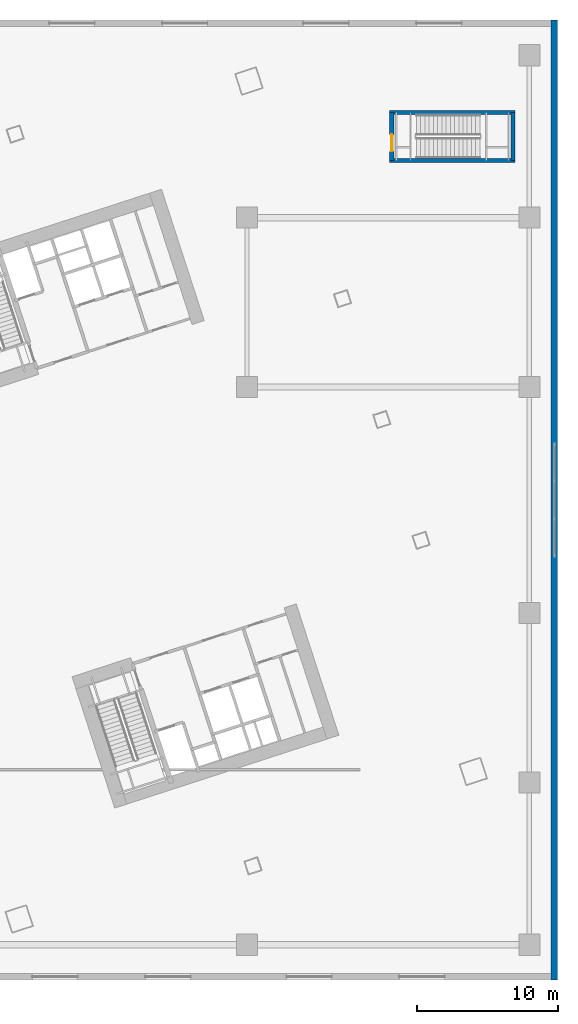
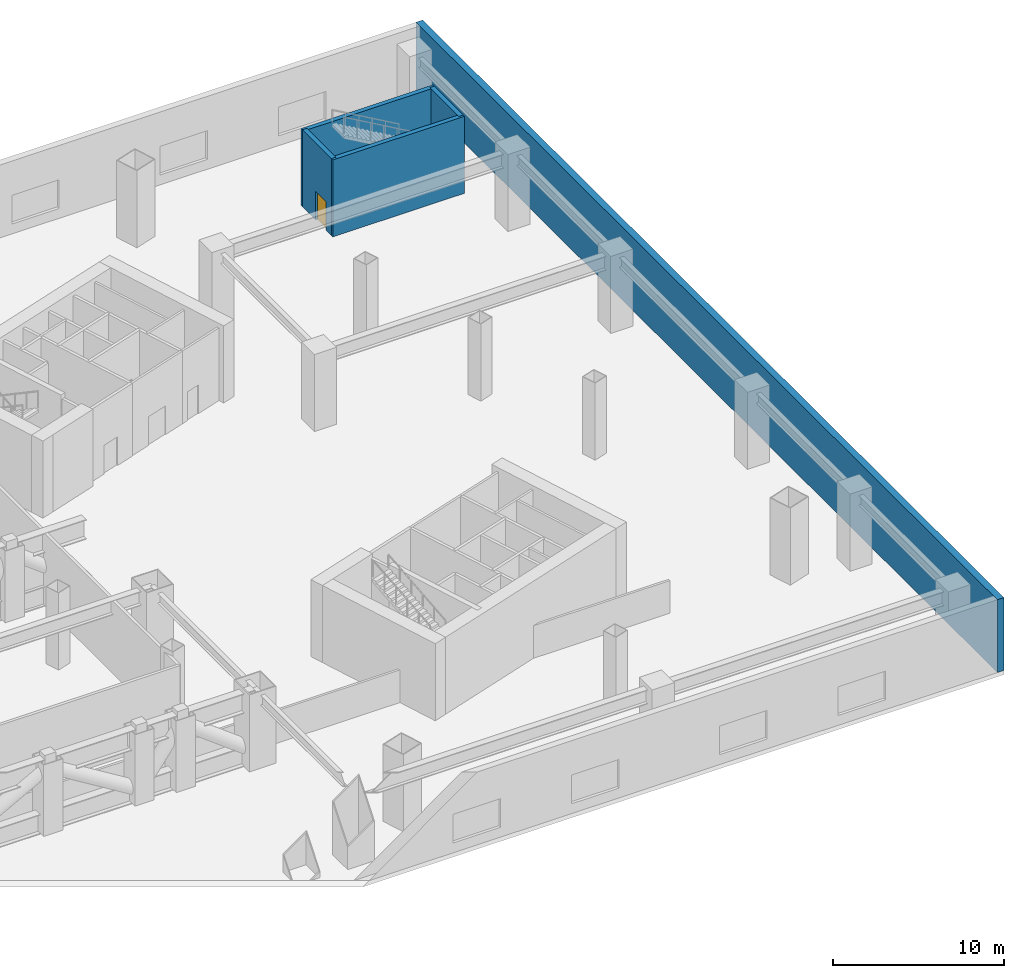
# One storey, part 29 of 34: 5 walls, 1 door, 1 opening.
"""IFC4 building model written with IfcOpenShell, lengths in metres."""

from ifc_helpers import new_model, si_unit, direction, frame, frame_2d, origin, place, context, subcontext, project, spatial, rectangle, extrude, material, layer, layer_set, type_object, element, fill, save


model = new_model("IFC4")

# Units and contexts
model_context = context("Model", 3, precision=1e-05, world=origin(), true_north=direction((0.0, 1.0)))
body_context = subcontext(model_context, "Body", "Model", "MODEL_VIEW")
ifc_project = project(units=[si_unit("LENGTHUNIT", "METRE"), si_unit("AREAUNIT", "SQUARE_METRE"), si_unit("VOLUMEUNIT", "CUBIC_METRE"), si_unit("PLANEANGLEUNIT", "RADIAN"), si_unit("MASSUNIT", "GRAM", prefix="KILO")], contexts=[model_context])

# Site, building, storey
site_placement = place(None, origin())
site = spatial("IfcSite", under=ifc_project, at=site_placement, CompositionType="ELEMENT")
building_placement = place(site_placement, origin())
building = spatial("IfcBuilding", under=site, at=building_placement, Name="Qiaolan Cultural Towers", CompositionType="ELEMENT")
storey_placement = place(building_placement, frame((0.0, 0.0, 16.5)))
storey = spatial("IfcBuildingStorey", under=building, at=storey_placement, Name="L03", CompositionType="ELEMENT", Elevation=16.5)

# Walls
ifc_material_1 = material(Name="Concrete C50", Category="concrete")
ifc_layer_1 = layer(ifc_material_1, 0.35009765625)
ifc_layer_set_1 = layer_set([ifc_layer_1], Name="Concrete C50")
wall_type_1 = type_object("IfcWallType", Name="WL-CORE-350", PredefinedType="SHEAR", material=ifc_layer_set_1)
for number, where, z_axis, x_axis, name in (
    (1, (108.10009765625, 58.050048828125, 0.0), (0.0, 0.0, 1.0), (1.0, 0.0, 0.0), "L03 STP2 Stair Shaft Wall S"),
    (2, (108.10009765625, 61.449951171875, 0.0), (0.0, 0.0, 1.0), (1.0, 0.0, 0.0), "L03 STP2 Stair Shaft Wall N"),
):
    element("IfcWall", number, at=place(storey_placement, frame(where, z_axis=z_axis, x_axis=x_axis)), inside=storey, type_object=wall_type_1, Name=name, PredefinedType="SHEAR", context=body_context, shape_type="SweptSolid", body=[
        extrude(rectangle(XDim=8.89990234375, YDim=0.300048828125, at=frame_2d((4.449951171875, 0.0))), origin(), (0.0, 0.0, 1.0), 5.5),
    ])
wall_1_placement = place(storey_placement, frame((116.85009765625, 58.050048828125, 0.0), z_axis=(0.0, 0.0, 1.0), x_axis=(0.0, 1.0, 0.0)))
element("IfcWall", 3, at=wall_1_placement, inside=storey, type_object=wall_type_1, Name="L03 STP2 Stair Shaft Wall E", PredefinedType="SHEAR", context=body_context, shape_type="SweptSolid", body=[
    extrude(rectangle(XDim=3.39990234375, YDim=0.300048828125, at=frame_2d((1.699951171875, 0.0))), origin(), (0.0, 0.0, 1.0), 5.5),
])

# Wall, opening, door
wall_2_placement = place(storey_placement, frame((108.25, 58.050048828125, 0.0), z_axis=(0.0, 0.0, 1.0), x_axis=(0.0, 1.0, 0.0)))
wall_2 = element("IfcWall", 4, at=wall_2_placement, inside=storey, type_object=wall_type_1, Name="L03 STP2 Stair Shaft Wall W", PredefinedType="SHEAR", context=body_context, shape_type="SweptSolid", body=[
    extrude(rectangle(XDim=3.39990234375, YDim=0.300048828125, at=frame_2d((1.699951171875, 0.0))), origin(), (0.0, 0.0, 1.0), 5.5),
])
opening_placement = place(wall_2_placement, frame((0.64990234375, 0.0, 0.0)))
opening = element("IfcOpeningElement", 5, at=opening_placement, cuts=wall_2, Name="Opening FD-03", PredefinedType="OPENING", context=body_context, shape_type="SweptSolid", body=[
    extrude(rectangle(XDim=1.199951171875, YDim=2.050048828125, at=frame_2d((0.60009765625, 1.02490234375))), frame((0.0, 0.159912109375, 0.0), z_axis=(0.0, -1.0, 0.0), x_axis=(1.0, 0.0, 0.0)), (0.0, 0.0, 1.0), 0.320068359375),
])
ifc_material_2 = material(Name="Galvanized Steel Smokeproof Lobby Fire Door", Category="steel")
door_type = type_object("IfcDoorType", Name="DR-FD90-1200", OperationType="NOTDEFINED", PredefinedType="DOOR", material=ifc_material_2)
door_placement = place(opening_placement, origin())
door = element("IfcDoor", 6, at=door_placement, inside=storey, type_object=door_type, Name="L03 Exit Stair ST-P2 Fire Door", OperationType="SINGLE_SWING_LEFT", OverallHeight=2.050048828125, OverallWidth=1.199951171875, PredefinedType="DOOR", context=body_context, shape_type="SweptSolid", body=[
    extrude(rectangle(XDim=1.199951171875, YDim=2.050048828125, at=frame_2d((0.60009765625, 1.02490234375))), frame((0.0, 0.02490234375, 0.0), z_axis=(0.0, -1.0, 0.0), x_axis=(1.0, 0.0, 0.0)), (0.0, 0.0, 1.0), 0.050048828125),
])
fill(opening, door)

# Wall
ifc_material_3 = material(Name="Precast Concrete C50 Bush-Hammered Granite Pier", Category="masonry")
ifc_layer_2 = layer(ifc_material_3, 0.449951171875)
ifc_layer_set_2 = layer_set([ifc_layer_2], Name="Precast Concrete C50 Bush-Hammered Granite Pier")
wall_type_2 = type_object("IfcWallType", Name="WL-EXT-POD-450", PredefinedType="SOLIDWALL", material=ifc_layer_set_2)
wall_3_placement = place(storey_placement, frame((119.77490234375, 68.0, 0.0), z_axis=(0.0, 0.0, 1.0), x_axis=(0.0, -1.0, 0.0)))
element("IfcWall", 7, at=wall_3_placement, inside=storey, type_object=wall_type_2, Name="L03 Podium Precast Facade Wall EAST", PredefinedType="SOLIDWALL", context=body_context, shape_type="SweptSolid", body=[
    extrude(rectangle(XDim=68.0, YDim=0.449951171875, at=frame_2d((34.0, 0.0))), origin(), (0.0, 0.0, 1.0), 5.199951171875),
])

save(model, "model.ifc")
